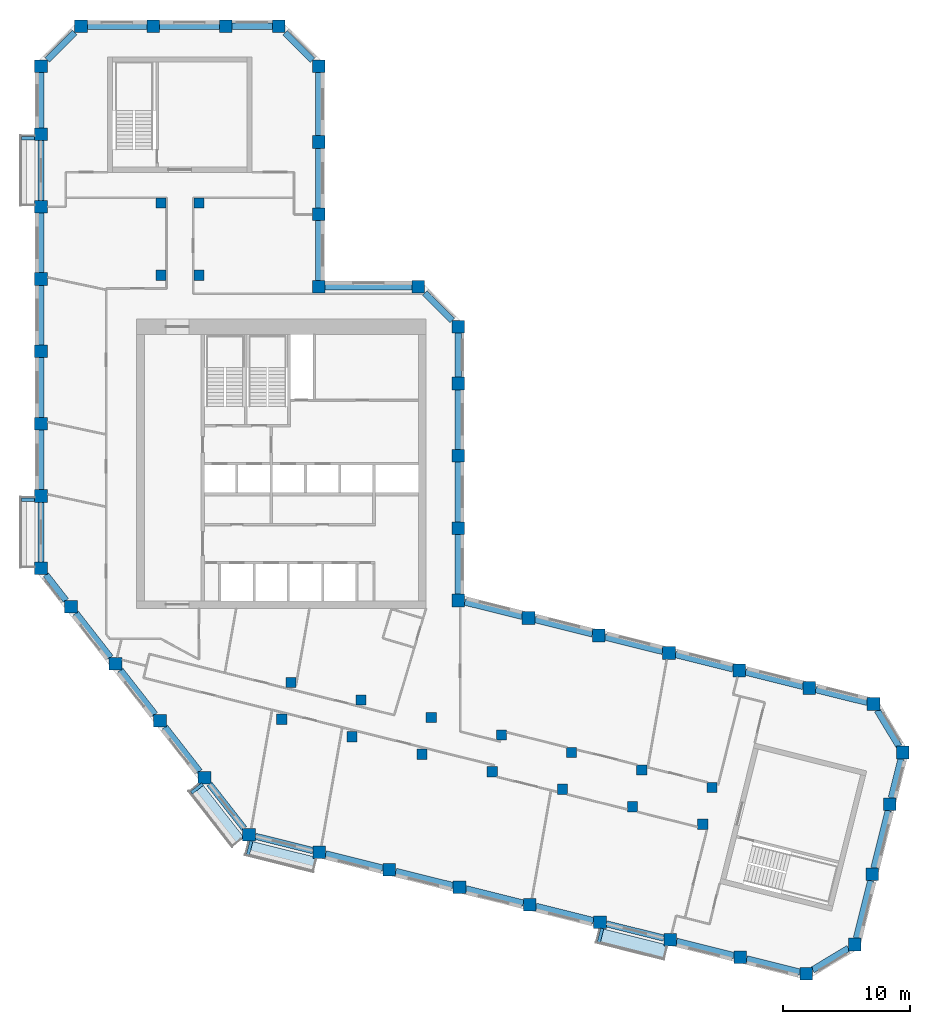
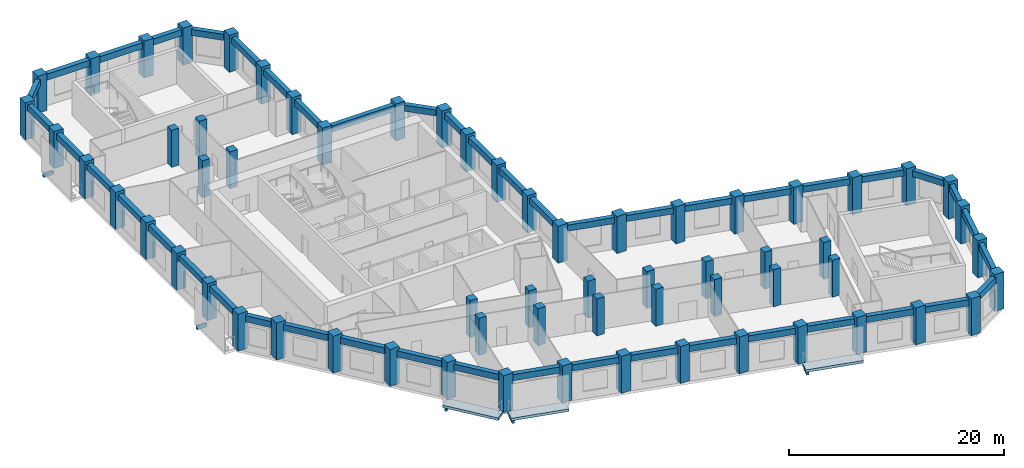
# One storey, part 1 of 9: 63 columns, 50 beams, 3 slabs.
"""IFC4 building model written with IfcOpenShell, lengths in metres."""

from ifc_helpers import new_model, si_unit, direction, frame, origin, origin_2d, place, context, subcontext, project, spatial, polyline, rectangle, outline, extrude, material, layer, layer_set, material_profile, profile_set, type_object, element, save


model = new_model("IFC4")

# Units and contexts
model_context = context("Model", 3, precision=1e-05, world=origin(), true_north=direction((0.0, 1.0)))
body_context = subcontext(model_context, "Body", "Model", "MODEL_VIEW")
ifc_project = project(units=[si_unit("LENGTHUNIT", "METRE"), si_unit("AREAUNIT", "SQUARE_METRE"), si_unit("VOLUMEUNIT", "CUBIC_METRE"), si_unit("PLANEANGLEUNIT", "RADIAN"), si_unit("MASSUNIT", "GRAM", prefix="KILO")], contexts=[model_context])

# Site, building, storey
site_placement = place(None, origin())
site = spatial("IfcSite", under=ifc_project, at=site_placement, CompositionType="ELEMENT")
building_placement = place(site_placement, origin())
building = spatial("IfcBuilding", under=site, at=building_placement, Name="Meshkara Civic Tower", CompositionType="ELEMENT")
storey_placement = place(building_placement, frame((0.0, 0.0, 294.0)))
storey = spatial("IfcBuildingStorey", under=building, at=storey_placement, Name="L67", CompositionType="ELEMENT", Elevation=294.0)

# Columns
ifc_material_1 = material(Name="Concrete C60", Category="concrete")
ifc_material_profile_1 = material_profile(ifc_material_1, rectangle(XDim=0.800048828125, YDim=0.800048828125, at=origin_2d()))
ifc_profile_set_1 = profile_set([ifc_material_profile_1], Name="Concrete C60")
column_type_1 = type_object("IfcColumnType", Name="Interior column RC 800x800 C60", PredefinedType="COLUMN", material=ifc_profile_set_1)
for number, where, z_axis, x_axis, name in (
    (1, (9.89990234375, 40.35009765625, 0.0), (0.0, 0.0, 1.0), (1.0, 0.0, 0.0), "Column SA1-04 L67"),
    (2, (9.89990234375, 46.050048828125, 0.0), (0.0, 0.0, 1.0), (1.0, 0.0, 0.0), "Column SA1-05 L67"),
    (3, (12.89990234375, 40.35009765625, 0.0), (0.0, 0.0, 1.0), (1.0, 0.0, 0.0), "Column SA2-04 L67"),
    (4, (12.89990234375, 46.050048828125, 0.0), (0.0, 0.0, 1.0), (1.0, 0.0, 0.0), "Column SA2-05 L67"),
    (5, (19.424072265625, 5.360107421875, 0.0), (0.0, 0.0, 1.0), (1.0, 0.0, 0.0), "Column SB1-00 L67"),
    (6, (24.9541015625, 3.98095703125, 0.0), (0.0, 0.0, 1.0), (1.0, 0.0, 0.0), "Column SB1-01 L67"),
    (7, (30.485107421875, 2.60205078125, 0.0), (0.0, 0.0, 1.0), (1.0, 0.0, 0.0), "Column SB1-02 L67"),
    (8, (36.01611328125, 1.222900390625, 0.0), (0.0, 0.0, 1.0), (1.0, 0.0, 0.0), "Column SB1-03 L67"),
    (9, (41.5458984375, -0.156005859375, 0.0), (0.0, 0.0, 1.0), (1.0, 0.0, 0.0), "Column SB1-04 L67"),
    (10, (47.076904296875, -1.534912109375, 0.0), (0.0, 0.0, 1.0), (1.0, 0.0, 0.0), "Column SB1-05 L67"),
    (11, (52.60791015625, -2.9140625, 0.0), (0.0, 0.0, 1.0), (1.0, 0.0, 0.0), "Column SB1-06 L67"),
    (12, (20.14892578125, 8.27099609375, 0.0), (0.0, 0.0, 1.0), (1.0, 0.0, 0.0), "Column SB2-00 L67"),
    (13, (25.679931640625, 6.89208984375, 0.0), (0.0, 0.0, 1.0), (1.0, 0.0, 0.0), "Column SB2-01 L67"),
    (14, (31.2109375, 5.512939453125, 0.0), (0.0, 0.0, 1.0), (1.0, 0.0, 0.0), "Column SB2-02 L67"),
    (15, (36.741943359375, 4.134033203125, 0.0), (0.0, 0.0, 1.0), (1.0, 0.0, 0.0), "Column SB2-03 L67"),
    (16, (42.27197265625, 2.7548828125, 0.0), (0.0, 0.0, 1.0), (1.0, 0.0, 0.0), "Column SB2-04 L67"),
    (17, (47.802978515625, 1.3759765625, 0.0), (0.0, 0.0, 1.0), (1.0, 0.0, 0.0), "Column SB2-05 L67"),
    (18, (53.333984375, -0.0029296875, 0.0), (0.0, 0.0, 1.0), (1.0, 0.0, 0.0), "Column SB2-06 L67"),
):
    element("IfcColumn", number, at=place(storey_placement, frame(where, z_axis=z_axis, x_axis=x_axis)), inside=storey, type_object=column_type_1, Name=name, PredefinedType="COLUMN", context=body_context, shape_type="SweptSolid", body=[
        extrude(rectangle(XDim=0.800048828125, YDim=0.800048828125, at=origin_2d()), origin(), (0.0, 0.0, 1.0), 4.199951171875),
    ])
ifc_material_2 = material(Name="Concrete C60", Category="concrete")
ifc_material_profile_2 = material_profile(ifc_material_2, rectangle(XDim=1.0, YDim=1.0, at=origin_2d()))
ifc_profile_set_2 = profile_set([ifc_material_profile_2], Name="Concrete C60")
column_type_2 = type_object("IfcColumnType", Name="Perimeter column RC 1000x1000 C60", PredefinedType="COLUMN", material=ifc_profile_set_2)
for number, where, z_axis, x_axis, name in (
    (19, (33.35009765625, 14.718994140625, 0.0), (0.0, 0.0, 1.0), (1.0, 0.0, 0.0), "Column HE00 L67"),
    (20, (33.35009765625, 20.4189453125, 0.0), (0.0, 0.0, 1.0), (1.0, 0.0, 0.0), "Column HE01 L67"),
    (21, (33.35009765625, 26.118896484375, 0.0), (0.0, 0.0, 1.0), (1.0, 0.0, 0.0), "Column HE02 L67"),
    (22, (33.35009765625, 31.819091796875, 0.0), (0.0, 0.0, 1.0), (1.0, 0.0, 0.0), "Column HE03 L67"),
    (23, (33.35009765625, 36.2939453125, 0.0), (0.0, 0.0, 1.0), (1.0, 0.0, 0.0), "Column HEE L67"),
    (24, (30.194091796875, 39.449951171875, 0.0), (0.0, 0.0, 1.0), (1.0, 0.0, 0.0), "Column HCeE L67"),
    (25, (22.35009765625, 39.449951171875, 0.0), (0.0, 0.0, 1.0), (1.0, 0.0, 0.0), "Column HN00 L67"),
    (26, (22.35009765625, 45.14990234375, 0.0), (0.0, 0.0, 1.0), (1.0, 0.0, 0.0), "Column AE01 L67"),
    (27, (22.35009765625, 50.85009765625, 0.0), (0.0, 0.0, 1.0), (1.0, 0.0, 0.0), "Column AE02 L67"),
    (28, (22.35009765625, 56.81396484375, 0.0), (0.0, 0.0, 1.0), (1.0, 0.0, 0.0), "Column AEEP4 L67"),
    (29, (19.194091796875, 59.969970703125, 0.0), (0.0, 0.0, 1.0), (1.0, 0.0, 0.0), "Column ATiEP4 L67"),
    (30, (3.60595703125, 59.969970703125, 0.0), (0.0, 0.0, 1.0), (1.0, 0.0, 0.0), "Column AT00-P4 L67"),
    (31, (9.305908203125, 59.969970703125, 0.0), (0.0, 0.0, 1.0), (1.0, 0.0, 0.0), "Column AT01-P4 L67"),
    (32, (15.006103515625, 59.969970703125, 0.0), (0.0, 0.0, 1.0), (1.0, 0.0, 0.0), "Column AT02-P4 L67"),
    (33, (0.449951171875, 56.81396484375, 0.0), (0.0, 0.0, 1.0), (1.0, 0.0, 0.0), "Column ATo00-P4 L67"),
    (34, (0.449951171875, 17.2548828125, 0.0), (0.0, 0.0, 1.0), (1.0, 0.0, 0.0), "Column AW00 L67"),
    (35, (0.449951171875, 22.955078125, 0.0), (0.0, 0.0, 1.0), (1.0, 0.0, 0.0), "Column AW01 L67"),
    (36, (0.449951171875, 28.655029296875, 0.0), (0.0, 0.0, 1.0), (1.0, 0.0, 0.0), "Column AW02 L67"),
    (37, (0.449951171875, 34.35498046875, 0.0), (0.0, 0.0, 1.0), (1.0, 0.0, 0.0), "Column AW03 L67"),
    (38, (0.449951171875, 40.054931640625, 0.0), (0.0, 0.0, 1.0), (1.0, 0.0, 0.0), "Column AW04 L67"),
    (39, (0.449951171875, 45.7548828125, 0.0), (0.0, 0.0, 1.0), (1.0, 0.0, 0.0), "Column AW05 L67"),
    (40, (0.449951171875, 51.455078125, 0.0), (0.0, 0.0, 1.0), (1.0, 0.0, 0.0), "Column AW06 L67"),
    (41, (16.85107421875, -3.738037109375, 0.0), (0.0, 0.0, 1.0), (1.0, 0.0, 0.0), "Column BOW00 L67"),
    (42, (13.342041015625, 0.75390625, 0.0), (0.0, 0.0, 1.0), (1.0, 0.0, 0.0), "Column BOW01 L67"),
    (43, (9.8330078125, 5.2451171875, 0.0), (0.0, 0.0, 1.0), (1.0, 0.0, 0.0), "Column BOW02 L67"),
    (44, (6.322998046875, 9.737060546875, 0.0), (0.0, 0.0, 1.0), (1.0, 0.0, 0.0), "Column BOW03 L67"),
    (45, (2.81396484375, 14.22900390625, 0.0), (0.0, 0.0, 1.0), (1.0, 0.0, 0.0), "Column BOW04 L67"),
    (46, (22.382080078125, -5.116943359375, 0.0), (0.0, 0.0, 1.0), (1.0, 0.0, 0.0), "Column BS01 L67"),
    (47, (27.912109375, -6.49609375, 0.0), (0.0, 0.0, 1.0), (1.0, 0.0, 0.0), "Column BS02 L67"),
    (48, (33.443115234375, -7.875, 0.0), (0.0, 0.0, 1.0), (1.0, 0.0, 0.0), "Column BS03 L67"),
    (49, (38.97412109375, -9.25390625, 0.0), (0.0, 0.0, 1.0), (1.0, 0.0, 0.0), "Column BS04 L67"),
    (50, (44.50390625, -10.633056640625, 0.0), (0.0, 0.0, 1.0), (1.0, 0.0, 0.0), "Column BS05-P4 L67"),
    (51, (50.034912109375, -12.011962890625, 0.0), (0.0, 0.0, 1.0), (1.0, 0.0, 0.0), "Column BS06-P4 L67"),
    (52, (55.56591796875, -13.389892578125, 0.0), (0.0, 0.0, 1.0), (1.0, 0.0, 0.0), "Column BS07 L67"),
    (53, (60.76611328125, -14.68701171875, 0.0), (0.0, 0.0, 1.0), (1.0, 0.0, 0.0), "Column BSEP4 L67"),
    (54, (64.591064453125, -12.386962890625, 0.0), (0.0, 0.0, 1.0), (1.0, 0.0, 0.0), "Column BToEP4 L67"),
    (55, (65.969970703125, -6.85595703125, 0.0), (0.0, 0.0, 1.0), (1.0, 0.0, 0.0), "Column BT01-P4 L67"),
    (56, (67.34912109375, -1.325927734375, 0.0), (0.0, 0.0, 1.0), (1.0, 0.0, 0.0), "Column BT02-P4 L67"),
    (57, (68.362060546875, 2.736083984375, 0.0), (0.0, 0.0, 1.0), (1.0, 0.0, 0.0), "Column BTEP4 L67"),
    (58, (66.06298828125, 6.56201171875, 0.0), (0.0, 0.0, 1.0), (1.0, 0.0, 0.0), "Column BTi00-P4 L67"),
    (59, (38.881103515625, 13.340087890625, 0.0), (0.0, 0.0, 1.0), (1.0, 0.0, 0.0), "Column BN01 L67"),
    (60, (44.410888671875, 11.9609375, 0.0), (0.0, 0.0, 1.0), (1.0, 0.0, 0.0), "Column BN02 L67"),
    (61, (49.94189453125, 10.58203125, 0.0), (0.0, 0.0, 1.0), (1.0, 0.0, 0.0), "Column BN03 L67"),
    (62, (55.472900390625, 9.202880859375, 0.0), (0.0, 0.0, 1.0), (1.0, 0.0, 0.0), "Column BN04 L67"),
    (63, (61.0029296875, 7.823974609375, 0.0), (0.0, 0.0, 1.0), (1.0, 0.0, 0.0), "Column BN05 L67"),
):
    element("IfcColumn", number, at=place(storey_placement, frame(where, z_axis=z_axis, x_axis=x_axis)), inside=storey, type_object=column_type_2, Name=name, PredefinedType="COLUMN", context=body_context, shape_type="SweptSolid", body=[
        extrude(rectangle(XDim=1.0, YDim=1.0, at=origin_2d()), origin(), (0.0, 0.0, 1.0), 4.199951171875),
    ])

# Beams
ifc_material_3 = material(Name="Concrete C50", Category="concrete")
ifc_material_profile_3 = material_profile(ifc_material_3, rectangle(XDim=0.25, YDim=0.39990234375, at=origin_2d()))
ifc_profile_set_3 = profile_set([ifc_material_profile_3], Name="Concrete C50")
beam_type_1 = type_object("IfcBeamType", Name="Balcony bracket beam RC 250x400 C50", PredefinedType="BEAM", material=ifc_profile_set_3)
for number, where, z_axis, x_axis, name in (
    (64, (-0.044921875, 51.155029296875, -0.5), (-1.0, 0.0, 0.0), (0.0, -1.0, 0.0), "Balcony bracket beam"),
    (65, (-0.044921875, 22.655029296875, -0.5), (-1.0, 0.0, 0.0), (0.0, -1.0, 0.0), "Balcony bracket beam"),
):
    element("IfcBeam", number, at=place(storey_placement, frame(where, z_axis=z_axis, x_axis=x_axis)), inside=storey, type_object=beam_type_1, Name=name, PredefinedType="BEAM", context=body_context, shape_type="SweptSolid", body=[
        extrude(rectangle(XDim=0.25, YDim=0.39990234375, at=origin_2d()), origin(), (0.0, 0.0, 1.0), 1.05517578125),
    ])
beam_1_placement = place(storey_placement, frame((13.193115234375, 0.257080078125, -0.5), z_axis=(-0.787938992743, -0.61575331401, 0.0), x_axis=(0.61575331401, -0.787938992743, 0.0)))
element("IfcBeam", 66, at=beam_1_placement, inside=storey, type_object=beam_type_1, Name="Balcony bracket beam", PredefinedType="BEAM", context=body_context, shape_type="SweptSolid", body=[
    extrude(rectangle(XDim=0.25, YDim=0.39990234375, at=origin_2d()), origin(), (0.0, 0.0, 1.0), 1.127197265625),
])
for number, where, z_axis, x_axis, name in (
    (67, (17.037109375, -4.23291015625, -0.5), (-0.242329403705, -0.970194032192, 0.0), (0.970194032192, -0.242329403705, 0.0), "Balcony bracket beam"),
    (68, (44.68994140625, -11.1279296875, -0.5), (-0.242329403705, -0.970194032192, 0.0), (0.970194032192, -0.242329403705, 0.0), "Balcony bracket beam"),
):
    element("IfcBeam", number, at=place(storey_placement, frame(where, z_axis=z_axis, x_axis=x_axis)), inside=storey, type_object=beam_type_1, Name=name, PredefinedType="BEAM", context=body_context, shape_type="SweptSolid", body=[
        extrude(rectangle(XDim=0.25, YDim=0.39990234375, at=origin_2d()), origin(), (0.0, 0.0, 1.0), 1.1142578125),
    ])
ifc_material_4 = material(Name="Concrete C50", Category="concrete")
ifc_material_profile_4 = material_profile(ifc_material_4, rectangle(XDim=0.5, YDim=0.699951171875, at=origin_2d()))
ifc_profile_set_4 = profile_set([ifc_material_profile_4], Name="Concrete C50")
beam_type_2 = type_object("IfcBeamType", Name="Spandrel beam RC 500x700 C50", PredefinedType="BEAM", material=ifc_profile_set_4)
beam_2_placement = place(storey_placement, frame((60.5078125, 7.947509765625, 3.550048828125), z_axis=(-0.970286590806, 0.241958533023, 0.0), x_axis=(-0.241958533023, -0.970286590806, 0.0)))
element("IfcBeam", 69, at=beam_2_placement, inside=storey, type_object=beam_type_2, Name="Spandrel beam BN04-BN05", PredefinedType="BEAM", context=body_context, shape_type="SweptSolid", body=[
    extrude(rectangle(XDim=0.5, YDim=0.699951171875, at=origin_2d()), origin(), (0.0, 0.0, 1.0), 4.6787109375),
])
beam_3_placement = place(storey_placement, frame((54.977783203125, 9.326416015625, 3.550048828125), z_axis=(-0.970298806378, 0.241909541651, 0.0), x_axis=(-0.241909541651, -0.970298806378, 0.0)))
element("IfcBeam", 70, at=beam_3_placement, inside=storey, type_object=beam_type_2, Name="Spandrel beam BN03-BN04", PredefinedType="BEAM", context=body_context, shape_type="SweptSolid", body=[
    extrude(rectangle(XDim=0.5, YDim=0.699951171875, at=origin_2d()), origin(), (0.0, 0.0, 1.0), 4.6796875),
])
beam_4_placement = place(storey_placement, frame((49.447021484375, 10.70556640625, 3.550048828125), z_axis=(-0.970314102262, 0.241848181618, 0.0), x_axis=(-0.241848181618, -0.970314102262, 0.0)))
element("IfcBeam", 71, at=beam_4_placement, inside=storey, type_object=beam_type_2, Name="Spandrel beam BN02-BN03", PredefinedType="BEAM", context=body_context, shape_type="SweptSolid", body=[
    extrude(rectangle(XDim=0.5, YDim=0.699951171875, at=origin_2d()), origin(), (0.0, 0.0, 1.0), 4.679931640625),
])
beam_5_placement = place(storey_placement, frame((43.916015625, 12.08447265625, 3.550048828125), z_axis=(-0.970286590806, 0.241958533023, 0.0), x_axis=(-0.241958533023, -0.970286590806, 0.0)))
element("IfcBeam", 72, at=beam_5_placement, inside=storey, type_object=beam_type_2, Name="Spandrel beam BN01-BN02", PredefinedType="BEAM", context=body_context, shape_type="SweptSolid", body=[
    extrude(rectangle(XDim=0.5, YDim=0.699951171875, at=origin_2d()), origin(), (0.0, 0.0, 1.0), 4.6787109375),
])
beam_6_placement = place(storey_placement, frame((38.385986328125, 13.46337890625, 3.550048828125), z_axis=(-0.970298806378, 0.241909541651, 0.0), x_axis=(-0.241909541651, -0.970298806378, 0.0)))
element("IfcBeam", 73, at=beam_6_placement, inside=storey, type_object=beam_type_2, Name="Spandrel beam BN01-HE00", PredefinedType="BEAM", context=body_context, shape_type="SweptSolid", body=[
    extrude(rectangle(XDim=0.5, YDim=0.699951171875, at=origin_2d()), origin(), (0.0, 0.0, 1.0), 4.6796875),
])
for number, where, z_axis, x_axis, name in (
    (74, (33.35009765625, 15.214111328125, 3.550048828125), (0.0, 1.0, 0.0), (-1.0, 0.0, 0.0), "Spandrel beam HE00-HE01"),
    (75, (33.35009765625, 20.9140625, 3.550048828125), (0.0, 1.0, 0.0), (-1.0, 0.0, 0.0), "Spandrel beam HE01-HE02"),
    (76, (33.35009765625, 26.614013671875, 3.550048828125), (0.0, 1.0, 0.0), (-1.0, 0.0, 0.0), "Spandrel beam HE02-HE03"),
):
    element("IfcBeam", number, at=place(storey_placement, frame(where, z_axis=z_axis, x_axis=x_axis)), inside=storey, type_object=beam_type_2, Name=name, PredefinedType="BEAM", context=body_context, shape_type="SweptSolid", body=[
        extrude(rectangle(XDim=0.5, YDim=0.699951171875, at=origin_2d()), origin(), (0.0, 0.0, 1.0), 4.7099609375),
    ])
beam_7_placement = place(storey_placement, frame((33.35009765625, 32.31396484375, 3.550048828125), z_axis=(0.0, 1.0, 0.0), x_axis=(-1.0, 0.0, 0.0)))
element("IfcBeam", 77, at=beam_7_placement, inside=storey, type_object=beam_type_2, Name="Spandrel beam HE03-HEE", PredefinedType="BEAM", context=body_context, shape_type="SweptSolid", body=[
    extrude(rectangle(XDim=0.5, YDim=0.699951171875, at=origin_2d()), origin(), (0.0, 0.0, 1.0), 3.485107421875),
])
beam_8_placement = place(storey_placement, frame((32.853515625, 36.79052734375, 3.550048828125), z_axis=(-0.707106781187, 0.707106781187, 0.0), x_axis=(-0.707106781187, -0.707106781187, 0.0)))
element("IfcBeam", 78, at=beam_8_placement, inside=storey, type_object=beam_type_2, Name="Spandrel beam HCeE-HEE", PredefinedType="BEAM", context=body_context, shape_type="SweptSolid", body=[
    extrude(rectangle(XDim=0.5, YDim=0.699951171875, at=origin_2d()), origin(), (0.0, 0.0, 1.0), 3.05908203125),
])
beam_9_placement = place(storey_placement, frame((29.698974609375, 39.449951171875, 3.550048828125), z_axis=(-1.0, 0.0, 0.0), x_axis=(0.0, -1.0, 0.0)))
element("IfcBeam", 79, at=beam_9_placement, inside=storey, type_object=beam_type_2, Name="Spandrel beam HCeE-HN00", PredefinedType="BEAM", context=body_context, shape_type="SweptSolid", body=[
    extrude(rectangle(XDim=0.5, YDim=0.699951171875, at=origin_2d()), origin(), (0.0, 0.0, 1.0), 6.85400390625),
])
for number, where, z_axis, x_axis, name in (
    (80, (22.35009765625, 39.945068359375, 3.550048828125), (0.0, 1.0, 0.0), (-1.0, 0.0, 0.0), "Spandrel beam AE01-HN00"),
    (81, (22.35009765625, 45.64501953125, 3.550048828125), (0.0, 1.0, 0.0), (-1.0, 0.0, 0.0), "Spandrel beam AE01-AE02"),
):
    element("IfcBeam", number, at=place(storey_placement, frame(where, z_axis=z_axis, x_axis=x_axis)), inside=storey, type_object=beam_type_2, Name=name, PredefinedType="BEAM", context=body_context, shape_type="SweptSolid", body=[
        extrude(rectangle(XDim=0.5, YDim=0.699951171875, at=origin_2d()), origin(), (0.0, 0.0, 1.0), 4.7099609375),
    ])
beam_10_placement = place(storey_placement, frame((22.35009765625, 51.344970703125, 3.550048828125), z_axis=(0.0, 1.0, 0.0), x_axis=(-1.0, 0.0, 0.0)))
element("IfcBeam", 82, at=beam_10_placement, inside=storey, type_object=beam_type_2, Name="Spandrel beam AE02-AEEP4", PredefinedType="BEAM", context=body_context, shape_type="SweptSolid", body=[
    extrude(rectangle(XDim=0.5, YDim=0.699951171875, at=origin_2d()), origin(), (0.0, 0.0, 1.0), 4.97412109375),
])
beam_11_placement = place(storey_placement, frame((21.853515625, 57.310546875, 3.550048828125), z_axis=(-0.707146686758, 0.707066873363, 0.0), x_axis=(-0.707066873363, -0.707146686758, 0.0)))
element("IfcBeam", 83, at=beam_11_placement, inside=storey, type_object=beam_type_2, Name="Spandrel beam AEEP4-ATiEP4", PredefinedType="BEAM", context=body_context, shape_type="SweptSolid", body=[
    extrude(rectangle(XDim=0.5, YDim=0.699951171875, at=origin_2d()), origin(), (0.0, 0.0, 1.0), 3.058837890625),
])
beam_12_placement = place(storey_placement, frame((18.698974609375, 59.969970703125, 3.550048828125), z_axis=(-1.0, 0.0, 0.0), x_axis=(0.0, -1.0, 0.0)))
element("IfcBeam", 84, at=beam_12_placement, inside=storey, type_object=beam_type_2, Name="Spandrel beam AT02-P4-ATiEP4", PredefinedType="BEAM", context=body_context, shape_type="SweptSolid", body=[
    extrude(rectangle(XDim=0.5, YDim=0.699951171875, at=origin_2d()), origin(), (0.0, 0.0, 1.0), 3.197998046875),
])
for number, where, z_axis, x_axis, name in (
    (85, (14.510986328125, 59.969970703125, 3.550048828125), (-1.0, 0.0, 0.0), (0.0, -1.0, 0.0), "Spandrel beam AT01-P4-AT02-P4"),
    (86, (8.81103515625, 59.969970703125, 3.550048828125), (-1.0, 0.0, 0.0), (0.0, -1.0, 0.0), "Spandrel beam AT00-P4-AT01-P4"),
):
    element("IfcBeam", number, at=place(storey_placement, frame(where, z_axis=z_axis, x_axis=x_axis)), inside=storey, type_object=beam_type_2, Name=name, PredefinedType="BEAM", context=body_context, shape_type="SweptSolid", body=[
        extrude(rectangle(XDim=0.5, YDim=0.699951171875, at=origin_2d()), origin(), (0.0, 0.0, 1.0), 4.7099609375),
    ])
beam_13_placement = place(storey_placement, frame((3.109619140625, 59.473388671875, 3.550048828125), z_axis=(-0.707146686758, -0.707066873363, 0.0), x_axis=(0.707066873363, -0.707146686758, 0.0)))
element("IfcBeam", 87, at=beam_13_placement, inside=storey, type_object=beam_type_2, Name="Spandrel beam AT00-P4-ATo00-P4", PredefinedType="BEAM", context=body_context, shape_type="SweptSolid", body=[
    extrude(rectangle(XDim=0.5, YDim=0.699951171875, at=origin_2d()), origin(), (0.0, 0.0, 1.0), 3.058837890625),
])
beam_14_placement = place(storey_placement, frame((0.449951171875, 56.319091796875, 3.550048828125), z_axis=(0.0, -1.0, 0.0), x_axis=(1.0, 0.0, 0.0)))
element("IfcBeam", 88, at=beam_14_placement, inside=storey, type_object=beam_type_2, Name="Spandrel beam ATo00-P4-AW06", PredefinedType="BEAM", context=body_context, shape_type="SweptSolid", body=[
    extrude(rectangle(XDim=0.5, YDim=0.699951171875, at=origin_2d()), origin(), (0.0, 0.0, 1.0), 4.369140625),
])
for number, where, z_axis, x_axis, name in (
    (89, (0.449951171875, 50.9599609375, 3.550048828125), (0.0, -1.0, 0.0), (1.0, 0.0, 0.0), "Spandrel beam AW05-AW06"),
    (90, (0.449951171875, 45.260009765625, 3.550048828125), (0.0, -1.0, 0.0), (1.0, 0.0, 0.0), "Spandrel beam AW04-AW05"),
    (91, (0.449951171875, 39.56005859375, 3.550048828125), (0.0, -1.0, 0.0), (1.0, 0.0, 0.0), "Spandrel beam AW03-AW04"),
):
    element("IfcBeam", number, at=place(storey_placement, frame(where, z_axis=z_axis, x_axis=x_axis)), inside=storey, type_object=beam_type_2, Name=name, PredefinedType="BEAM", context=body_context, shape_type="SweptSolid", body=[
        extrude(rectangle(XDim=0.5, YDim=0.699951171875, at=origin_2d()), origin(), (0.0, 0.0, 1.0), 4.7099609375),
    ])
beam_15_placement = place(storey_placement, frame((0.449951171875, 33.860107421875, 3.550048828125), z_axis=(0.0, -1.0, 0.0), x_axis=(1.0, 0.0, 0.0)))
element("IfcBeam", 92, at=beam_15_placement, inside=storey, type_object=beam_type_2, Name="Spandrel beam AW02-AW03", PredefinedType="BEAM", context=body_context, shape_type="SweptSolid", body=[
    extrude(rectangle(XDim=0.5, YDim=0.699951171875, at=origin_2d()), origin(), (0.0, 0.0, 1.0), 4.710205078125),
])
for number, where, z_axis, x_axis, name in (
    (93, (0.449951171875, 28.159912109375, 3.550048828125), (0.0, -1.0, 0.0), (1.0, 0.0, 0.0), "Spandrel beam AW01-AW02"),
    (94, (0.449951171875, 22.4599609375, 3.550048828125), (0.0, -1.0, 0.0), (1.0, 0.0, 0.0), "Spandrel beam AW00-AW01"),
):
    element("IfcBeam", number, at=place(storey_placement, frame(where, z_axis=z_axis, x_axis=x_axis)), inside=storey, type_object=beam_type_2, Name=name, PredefinedType="BEAM", context=body_context, shape_type="SweptSolid", body=[
        extrude(rectangle(XDim=0.5, YDim=0.699951171875, at=origin_2d()), origin(), (0.0, 0.0, 1.0), 4.7099609375),
    ])
beam_16_placement = place(storey_placement, frame((0.83740234375, 16.7587890625, 3.550048828125), z_axis=(0.615713794912, -0.787969874269, 0.0), x_axis=(0.787969874269, 0.615713794912, 0.0)))
element("IfcBeam", 95, at=beam_16_placement, inside=storey, type_object=beam_type_2, Name="Spandrel beam AW00-BOW04", PredefinedType="BEAM", context=body_context, shape_type="SweptSolid", body=[
    extrude(rectangle(XDim=0.5, YDim=0.699951171875, at=origin_2d()), origin(), (0.0, 0.0, 1.0), 2.580810546875),
])
beam_17_placement = place(storey_placement, frame((3.201416015625, 13.73291015625, 3.550048828125), z_axis=(0.615636574491, -0.788030207637, 0.0), x_axis=(0.788030207637, 0.615636574491, 0.0)))
element("IfcBeam", 96, at=beam_17_placement, inside=storey, type_object=beam_type_2, Name="Spandrel beam BOW03-BOW04", PredefinedType="BEAM", context=body_context, shape_type="SweptSolid", body=[
    extrude(rectangle(XDim=0.5, YDim=0.699951171875, at=origin_2d()), origin(), (0.0, 0.0, 1.0), 4.441162109375),
])
beam_18_placement = place(storey_placement, frame((6.710693359375, 9.240966796875, 3.550048828125), z_axis=(0.615704842432, -0.787976869588, 0.0), x_axis=(0.787976869588, 0.615704842432, 0.0)))
element("IfcBeam", 97, at=beam_18_placement, inside=storey, type_object=beam_type_2, Name="Spandrel beam BOW02-BOW03", PredefinedType="BEAM", context=body_context, shape_type="SweptSolid", body=[
    extrude(rectangle(XDim=0.5, YDim=0.699951171875, at=origin_2d()), origin(), (0.0, 0.0, 1.0), 4.44140625),
])
beam_19_placement = place(storey_placement, frame((10.220703125, 4.748779296875, 3.550048828125), z_axis=(0.615674985547, -0.788000198078, 0.0), x_axis=(0.788000198078, 0.615674985547, 0.0)))
element("IfcBeam", 98, at=beam_19_placement, inside=storey, type_object=beam_type_2, Name="Spandrel beam BOW01-BOW02", PredefinedType="BEAM", context=body_context, shape_type="SweptSolid", body=[
    extrude(rectangle(XDim=0.5, YDim=0.699951171875, at=origin_2d()), origin(), (0.0, 0.0, 1.0), 4.440185546875),
])
beam_20_placement = place(storey_placement, frame((13.7294921875, 0.2578125, 3.550048828125), z_axis=(0.615602435322, -0.788056877151, 0.0), x_axis=(0.788056877151, 0.615602435322, 0.0)))
element("IfcBeam", 99, at=beam_20_placement, inside=storey, type_object=beam_type_2, Name="Spandrel beam BOW00-BOW01", PredefinedType="BEAM", context=body_context, shape_type="SweptSolid", body=[
    extrude(rectangle(XDim=0.5, YDim=0.699951171875, at=origin_2d()), origin(), (0.0, 0.0, 1.0), 4.44091796875),
])
beam_21_placement = place(storey_placement, frame((17.34619140625, -3.861572265625, 3.550048828125), z_axis=(0.970311050729, -0.24186042428, 0.0), x_axis=(0.24186042428, 0.970311050729, 0.0)))
element("IfcBeam", 100, at=beam_21_placement, inside=storey, type_object=beam_type_2, Name="Spandrel beam BOW00-BS01", PredefinedType="BEAM", context=body_context, shape_type="SweptSolid", body=[
    extrude(rectangle(XDim=0.5, YDim=0.699951171875, at=origin_2d()), origin(), (0.0, 0.0, 1.0), 4.6796875),
])
beam_22_placement = place(storey_placement, frame((22.877197265625, -5.240478515625, 3.550048828125), z_axis=(0.970286590806, -0.241958533023, 0.0), x_axis=(0.241958533023, 0.970286590806, 0.0)))
element("IfcBeam", 101, at=beam_22_placement, inside=storey, type_object=beam_type_2, Name="Spandrel beam BS01-BS02", PredefinedType="BEAM", context=body_context, shape_type="SweptSolid", body=[
    extrude(rectangle(XDim=0.5, YDim=0.699951171875, at=origin_2d()), origin(), (0.0, 0.0, 1.0), 4.6787109375),
])
for number, where, z_axis, x_axis, name in (
    (102, (28.406982421875, -6.619384765625, 3.550048828125), (0.970301859111, -0.241897296812, 0.0), (0.241897296812, 0.970301859111, 0.0), "Spandrel beam BS02-BS03"),
    (103, (33.93798828125, -7.99853515625, 3.550048828125), (0.970301859111, -0.241897296812, 0.0), (0.241897296812, 0.970301859111, 0.0), "Spandrel beam BS03-BS04"),
):
    element("IfcBeam", number, at=place(storey_placement, frame(where, z_axis=z_axis, x_axis=x_axis)), inside=storey, type_object=beam_type_2, Name=name, PredefinedType="BEAM", context=body_context, shape_type="SweptSolid", body=[
        extrude(rectangle(XDim=0.5, YDim=0.699951171875, at=origin_2d()), origin(), (0.0, 0.0, 1.0), 4.679931640625),
    ])
beam_23_placement = place(storey_placement, frame((39.468994140625, -9.37744140625, 3.550048828125), z_axis=(0.970286590806, -0.241958533023, 0.0), x_axis=(0.241958533023, 0.970286590806, 0.0)))
element("IfcBeam", 104, at=beam_23_placement, inside=storey, type_object=beam_type_2, Name="Spandrel beam BS04-BS05-P4", PredefinedType="BEAM", context=body_context, shape_type="SweptSolid", body=[
    extrude(rectangle(XDim=0.5, YDim=0.699951171875, at=origin_2d()), origin(), (0.0, 0.0, 1.0), 4.6787109375),
])
beam_24_placement = place(storey_placement, frame((44.9990234375, -10.756591796875, 3.550048828125), z_axis=(0.970311050729, -0.24186042428, 0.0), x_axis=(0.24186042428, 0.970311050729, 0.0)))
element("IfcBeam", 105, at=beam_24_placement, inside=storey, type_object=beam_type_2, Name="Spandrel beam BS05-P4-BS06-P4", PredefinedType="BEAM", context=body_context, shape_type="SweptSolid", body=[
    extrude(rectangle(XDim=0.5, YDim=0.699951171875, at=origin_2d()), origin(), (0.0, 0.0, 1.0), 4.6796875),
])
beam_25_placement = place(storey_placement, frame((50.530029296875, -12.135498046875, 3.550048828125), z_axis=(0.970347770718, -0.241713061011, 0.0), x_axis=(0.241713061011, 0.970347770718, 0.0)))
element("IfcBeam", 106, at=beam_25_placement, inside=storey, type_object=beam_type_2, Name="Spandrel beam BS06-P4-BS07", PredefinedType="BEAM", context=body_context, shape_type="SweptSolid", body=[
    extrude(rectangle(XDim=0.5, YDim=0.699951171875, at=origin_2d()), origin(), (0.0, 0.0, 1.0), 4.679443359375),
])
beam_26_placement = place(storey_placement, frame((56.06103515625, -13.513427734375, 3.550048828125), z_axis=(0.970274749447, -0.242006013533, 0.0), x_axis=(0.242006013533, 0.970274749447, 0.0)))
element("IfcBeam", 107, at=beam_26_placement, inside=storey, type_object=beam_type_2, Name="Spandrel beam BS07-BSEP4", PredefinedType="BEAM", context=body_context, shape_type="SweptSolid", body=[
    extrude(rectangle(XDim=0.5, YDim=0.699951171875, at=origin_2d()), origin(), (0.0, 0.0, 1.0), 4.3388671875),
])
beam_27_placement = place(storey_placement, frame((61.26171875, -14.388916015625, 3.550048828125), z_axis=(0.856990838189, 0.515331643953, 0.0), x_axis=(-0.515331643953, 0.856990838189, 0.0)))
element("IfcBeam", 108, at=beam_27_placement, inside=storey, type_object=beam_type_2, Name="Spandrel beam BSEP4-BToEP4", PredefinedType="BEAM", context=body_context, shape_type="SweptSolid", body=[
    extrude(rectangle(XDim=0.5, YDim=0.699951171875, at=origin_2d()), origin(), (0.0, 0.0, 1.0), 3.306396484375),
])
beam_28_placement = place(storey_placement, frame((64.714599609375, -11.891845703125, 3.550048828125), z_axis=(0.24186042428, 0.970311050729, 0.0), x_axis=(-0.970311050729, 0.24186042428, 0.0)))
element("IfcBeam", 109, at=beam_28_placement, inside=storey, type_object=beam_type_2, Name="Spandrel beam BT01-P4-BToEP4", PredefinedType="BEAM", context=body_context, shape_type="SweptSolid", body=[
    extrude(rectangle(XDim=0.5, YDim=0.699951171875, at=origin_2d()), origin(), (0.0, 0.0, 1.0), 4.6796875),
])
beam_29_placement = place(storey_placement, frame((66.093505859375, -6.36083984375, 3.550048828125), z_axis=(0.241958533023, 0.970286590806, 0.0), x_axis=(-0.970286590806, 0.241958533023, 0.0)))
element("IfcBeam", 110, at=beam_29_placement, inside=storey, type_object=beam_type_2, Name="Spandrel beam BT01-P4-BT02-P4", PredefinedType="BEAM", context=body_context, shape_type="SweptSolid", body=[
    extrude(rectangle(XDim=0.5, YDim=0.699951171875, at=origin_2d()), origin(), (0.0, 0.0, 1.0), 4.6787109375),
])
beam_30_placement = place(storey_placement, frame((67.472412109375, -0.830810546875, 3.550048828125), z_axis=(0.241991235859, 0.970278435176, 0.0), x_axis=(-0.970278435176, 0.241991235859, 0.0)))
element("IfcBeam", 111, at=beam_30_placement, inside=storey, type_object=beam_type_2, Name="Spandrel beam BT02-P4-BTEP4", PredefinedType="BEAM", context=body_context, shape_type="SweptSolid", body=[
    extrude(rectangle(XDim=0.5, YDim=0.699951171875, at=origin_2d()), origin(), (0.0, 0.0, 1.0), 3.165771484375),
])
beam_31_placement = place(storey_placement, frame((68.064208984375, 3.231689453125, 3.550048828125), z_axis=(-0.515060169575, 0.8571540245, 0.0), x_axis=(-0.8571540245, -0.515060169575, 0.0)))
element("IfcBeam", 112, at=beam_31_placement, inside=storey, type_object=beam_type_2, Name="Spandrel beam BTEP4-BTi00-P4", PredefinedType="BEAM", context=body_context, shape_type="SweptSolid", body=[
    extrude(rectangle(XDim=0.5, YDim=0.699951171875, at=origin_2d()), origin(), (0.0, 0.0, 1.0), 3.30712890625),
])
beam_32_placement = place(storey_placement, frame((65.56787109375, 6.685546875, 3.550048828125), z_axis=(-0.970286131512, 0.241960374847, 0.0), x_axis=(-0.241960374847, -0.970286131512, 0.0)))
element("IfcBeam", 113, at=beam_32_placement, inside=storey, type_object=beam_type_2, Name="Spandrel beam BN05-BTi00-P4", PredefinedType="BEAM", context=body_context, shape_type="SweptSolid", body=[
    extrude(rectangle(XDim=0.5, YDim=0.699951171875, at=origin_2d()), origin(), (0.0, 0.0, 1.0), 4.1943359375),
])

# Slabs
ifc_material_5 = material(Name="Concrete C40", Category="concrete")
ifc_layer = layer(ifc_material_5, 0.300048828125)
ifc_layer_set = layer_set([ifc_layer], Name="BALCONY SLAB")
slab_type = type_object("IfcSlabType", Name="BALCONY SLAB", PredefinedType="FLOOR", material=ifc_layer_set)
slab_1_placement = place(storey_placement, frame((0.0, 0.0, -0.300048828125)))
element("IfcSlab", 114, at=slab_1_placement, inside=storey, type_object=slab_type, Name="Balcony slab", PredefinedType="FLOOR", context=body_context, shape_type="SweptSolid", body=[
    extrude(outline(polyline([(15.513916015625, -4.7060546875), (12.0791015625, -0.30908203125), (12.842041015625, 0.287109375), (12.842041015625, 0.25390625), (13.160888671875, 0.25390625), (16.35107421875, -3.8291015625), (16.35107421875, -4.052001953125), (15.513916015625, -4.7060546875)])), origin(), (0.0, 0.0, 1.0), 0.300048828125),
])
slab_2_placement = place(storey_placement, frame((0.0, 0.0, -0.300048828125)))
element("IfcSlab", 115, at=slab_2_placement, inside=storey, type_object=slab_type, Name="Balcony slab", PredefinedType="FLOOR", context=body_context, shape_type="SweptSolid", body=[
    extrude(outline(polyline([(21.925048828125, -6.702880859375), (16.510009765625, -5.35302734375), (16.7880859375, -4.238037109375), (16.9970703125, -4.238037109375), (21.882080078125, -5.4560546875), (21.882080078125, -5.616943359375), (22.195068359375, -5.616943359375), (21.925048828125, -6.702880859375)])), origin(), (0.0, 0.0, 1.0), 0.300048828125),
])
slab_3_placement = place(storey_placement, frame((0.0, 0.0, -0.300048828125)))
element("IfcSlab", 116, at=slab_3_placement, inside=storey, type_object=slab_type, Name="Balcony slab", PredefinedType="FLOOR", context=body_context, shape_type="SweptSolid", body=[
    extrude(outline(polyline([(49.577880859375, -13.597900390625), (44.1630859375, -12.248046875), (44.44091796875, -11.133056640625), (44.65087890625, -11.133056640625), (49.534912109375, -12.35107421875), (49.534912109375, -12.511962890625), (49.847900390625, -12.511962890625), (49.577880859375, -13.597900390625)])), origin(), (0.0, 0.0, 1.0), 0.300048828125),
])

save(model, "model.ifc")
